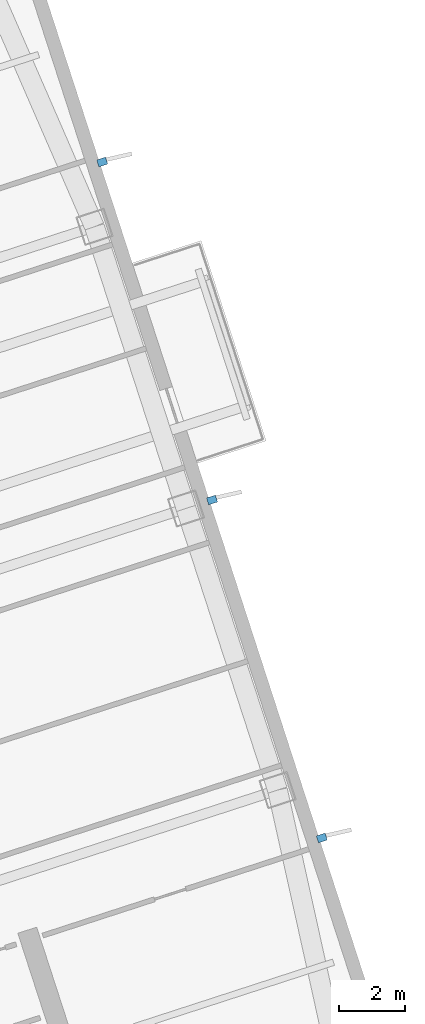
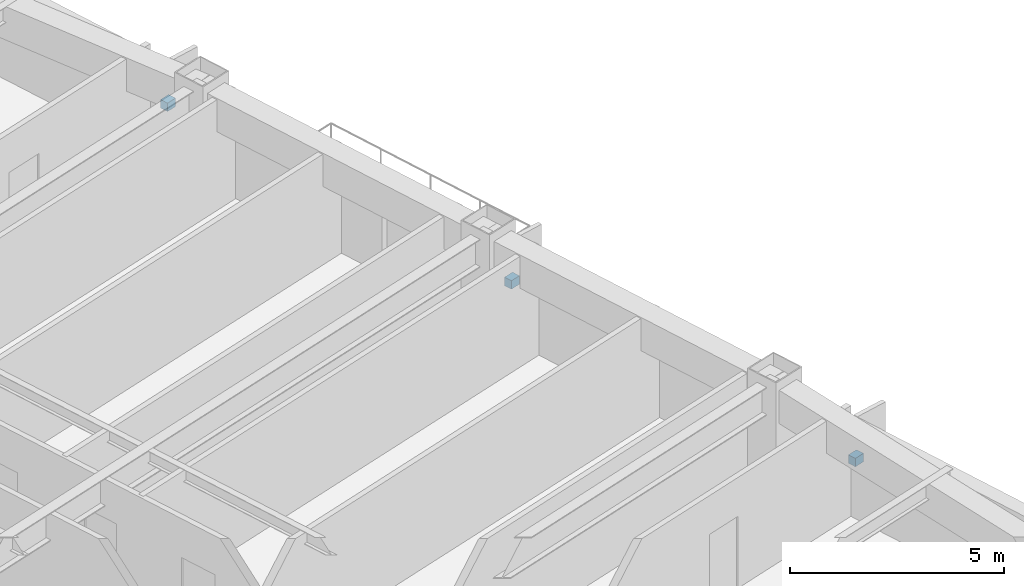
# One storey, part 18 of 23: 3 discrete accessories.
"""IFC4 building model written with IfcOpenShell, lengths in metres."""

import ifcopenshell
import ifcopenshell.guid

model = None  # the IFC model being written
_history = None  # IfcOwnerHistory: only IFC2X3 demands one
_inside = {}  # id of a spatial element -> (the spatial element, [elements in it])
_under = {}  # id of a project, library or spatial element -> (it, [spatial elements below it])
_declared = {}  # id of a project -> (the project, [libraries it declares])
_typed = {}  # id of a type object -> (the type object, [elements of that type])
_made_of = {}  # id of a material, layer set ... -> (it, [elements and type objects made of it])


def new_model(schema):
    """Start an empty IFC model of exactly this schema.

    Asked for "IFC4X3", IfcOpenShell would pick the latest addendum, in which some entities
    have other attributes; the version numbers below select the first issue.
    IFC2X3 requires an IfcOwnerHistory on every rooted entity: one is made here for all.
    """
    global model, _history
    if schema == "IFC4X3":
        model = ifcopenshell.file(schema_version=(4, 3, 0, 0))
    else:
        model = ifcopenshell.file(schema=schema)
    _inside.clear()
    _under.clear()
    _declared.clear()
    _typed.clear()
    _made_of.clear()
    _history = None
    if model.schema == "IFC2X3":
        org = make("IfcOrganization", Name="unknown")
        user = make(
            "IfcPersonAndOrganization",
            ThePerson=make("IfcPerson", FamilyName="unknown"),
            TheOrganization=org,
        )
        app = make(
            "IfcApplication",
            ApplicationDeveloper=org,
            Version="unknown",
            ApplicationFullName="unknown",
            ApplicationIdentifier="unknown",
        )
        _history = make(
            "IfcOwnerHistory",
            OwningUser=user,
            OwningApplication=app,
            ChangeAction="ADDED",
            CreationDate=0,
        )
    return model


def make(cls, **values):
    """One entity of the class cls with the attributes given. An attribute that is None is left unset."""
    return model.create_entity(
        cls, **{name: value for name, value in values.items() if value is not None}
    )


def rooted(cls, **values):
    """An entity with a GlobalId (a new one), such as an element, a storey or a relation."""
    return make(cls, GlobalId=ifcopenshell.guid.new(), OwnerHistory=_history, **values)


def si_unit(unit_type, name, prefix=None):
    """IfcSIUnit, for example si_unit("LENGTHUNIT", "METRE", prefix="MILLI")."""
    return make("IfcSIUnit", UnitType=unit_type, Prefix=prefix, Name=name)


def assignment(units):
    """IfcUnitAssignment: the units of a project."""
    return None if units is None else make("IfcUnitAssignment", Units=units)


def point(xyz):
    """IfcCartesianPoint."""
    return None if xyz is None else make("IfcCartesianPoint", Coordinates=xyz)


def direction(xyz):
    """IfcDirection."""
    return None if xyz is None else make("IfcDirection", DirectionRatios=xyz)


def frame(location, z_axis=None, x_axis=None):
    """IfcAxis2Placement3D, a coordinate frame: its origin and axes. An axis left out is left unset."""
    return make(
        "IfcAxis2Placement3D",
        Location=point(location),
        Axis=direction(z_axis),
        RefDirection=direction(x_axis),
    )


def frame_2d(location, x_axis=None):
    """IfcAxis2Placement2D, a coordinate frame in the plane: its origin and x axis."""
    return make(
        "IfcAxis2Placement2D", Location=point(location), RefDirection=direction(x_axis)
    )


def origin():
    """The frame at (0, 0, 0) with its axes left unset."""
    return frame((0.0, 0.0, 0.0))


def origin_2d():
    """The frame at (0, 0) in the plane with its x axis left unset."""
    return frame_2d((0.0, 0.0))


def place(relative_to, where):
    """IfcLocalPlacement: puts the frame where relative to a parent placement (None: the world)."""
    return make(
        "IfcLocalPlacement", PlacementRelTo=relative_to, RelativePlacement=where
    )


def context(
    kind, dimensions, precision=None, world=None, true_north=None, identifier=None
):
    """IfcGeometricRepresentationContext, for example the 3D "Model" context."""
    return make(
        "IfcGeometricRepresentationContext",
        ContextIdentifier=identifier,
        ContextType=kind,
        CoordinateSpaceDimension=dimensions,
        Precision=precision,
        WorldCoordinateSystem=world,
        TrueNorth=true_north,
    )


def subcontext(parent, identifier, kind, view, scale=None):
    """IfcGeometricRepresentationSubContext, for example "Body" below "Model"."""
    return make(
        "IfcGeometricRepresentationSubContext",
        ContextIdentifier=identifier,
        ContextType=kind,
        ParentContext=parent,
        TargetScale=scale,
        TargetView=view,
    )


def project(units=None, contexts=None):
    """IfcProject with its units and contexts."""
    return rooted(
        "IfcProject",
        Name="project",
        RepresentationContexts=contexts,
        UnitsInContext=assignment(units),
    )


def spatial(cls, under=None, at=None, **own):
    """A site, building, storey or space (cls), placed at a placement, below another one or the project."""
    s = rooted(cls, ObjectPlacement=at, **own)
    if under is not None:
        _under.setdefault(under.id(), (under, []))[1].append(s)
    return s


def profile(cls, at=None, kind="AREA", **sizes):
    """A parametric profile (cls). Its sizes go by their IFC names, for example OverallWidth=200.0."""
    return make(cls, ProfileType=kind, Position=at, **sizes)


def rectangle(**sizes):
    """IfcRectangleProfileDef."""
    return profile("IfcRectangleProfileDef", **sizes)


def extrude(swept, where, along, depth):
    """IfcExtrudedAreaSolid: the profile swept, set in the frame where, extruded along a direction by depth."""
    return make(
        "IfcExtrudedAreaSolid",
        SweptArea=swept,
        Position=where,
        ExtrudedDirection=direction(along),
        Depth=depth,
    )


def shape(context_of_items, identifier, shape_type, items):
    """IfcShapeRepresentation: the items that make up one representation, for example the "Body"."""
    return make(
        "IfcShapeRepresentation",
        ContextOfItems=context_of_items,
        RepresentationIdentifier=identifier,
        RepresentationType=shape_type,
        Items=items,
    )


def material(Name=None, Category=None):
    """IfcMaterial."""
    return make("IfcMaterial", Name=Name, Category=Category)


def made_of(thing, what):
    """Note that an element or type object is made of a material, layer set ...; save() writes the relation."""
    if what is not None:
        _made_of.setdefault(what.id(), (what, []))[1].append(thing)
    return thing


def type_object(cls, material=None, **own):
    """A type object (cls), such as IfcWallType, which elements share."""
    return made_of(rooted(cls, **own), material)


def element(
    cls,
    number,
    at=None,
    inside=None,
    cuts=None,
    type_object=None,
    material=None,
    context=None,
    identifier="Body",
    shape_type=None,
    held_by="IfcProductDefinitionShape",
    body=None,
    shapes=None,
    **own,
):
    """One element of the class cls, such as IfcWall. Its Tag is "e" and its number.

    at: its placement. inside: the storey or other place that contains it. cuts: it is an
    opening in that element (IfcRelVoidsElement). A single representation is given by context,
    identifier, shape_type and body (its items); several are given by shapes. held_by: the class
    of the entity that holds the representations. save() writes the other relations.
    """
    e = rooted(cls, Tag="e%d" % number, ObjectPlacement=at, **own)
    if body is not None:
        shapes = [shape(context, identifier, shape_type, body)]
    if shapes is not None:
        e.Representation = make(held_by, Representations=shapes)
    if inside is not None:
        _inside.setdefault(inside.id(), (inside, []))[1].append(e)
    if cuts is not None:
        rooted(
            "IfcRelVoidsElement", RelatingBuildingElement=cuts, RelatedOpeningElement=e
        )
    if type_object is not None:
        _typed.setdefault(type_object.id(), (type_object, []))[1].append(e)
    return made_of(e, material)


def aggregate(whole, parts):
    """IfcRelAggregates: a whole, such as a stair, and the parts it consists of."""
    return rooted("IfcRelAggregates", RelatingObject=whole, RelatedObjects=parts)


def save(model, path):
    """Write the relations noted so far, then the file.

    IfcRelAggregates (storeys below a building ...), IfcRelContainedInSpatialStructure (elements
    in a storey), IfcRelDefinesByType, IfcRelAssociatesMaterial and IfcRelDeclares: one each for
    every whole, place, type object, material and project.
    """
    for whole, parts in _under.values():
        aggregate(whole, parts)
    for where, things in _inside.values():
        rooted(
            "IfcRelContainedInSpatialStructure",
            RelatedElements=things,
            RelatingStructure=where,
        )
    for kind, things in _typed.values():
        rooted("IfcRelDefinesByType", RelatedObjects=things, RelatingType=kind)
    for what, things in _made_of.values():
        rooted("IfcRelAssociatesMaterial", RelatedObjects=things, RelatingMaterial=what)
    for by, libraries in _declared.values():
        rooted("IfcRelDeclares", RelatingContext=by, RelatedDefinitions=libraries)
    model.write(path)


model = new_model("IFC4")

# Units and contexts
model_context = context("Model", 3, precision=1e-05, world=origin(), true_north=direction((0.0, 1.0)))
body_context = subcontext(model_context, "Body", "Model", "MODEL_VIEW")
ifc_project = project(units=[si_unit("LENGTHUNIT", "METRE"), si_unit("AREAUNIT", "SQUARE_METRE"), si_unit("VOLUMEUNIT", "CUBIC_METRE"), si_unit("PLANEANGLEUNIT", "RADIAN"), si_unit("MASSUNIT", "GRAM", prefix="KILO")], contexts=[model_context])

# Site, building, storey
site_placement = place(None, origin())
site = spatial("IfcSite", under=ifc_project, at=site_placement, CompositionType="ELEMENT")
building_placement = place(site_placement, origin())
building = spatial("IfcBuilding", under=site, at=building_placement, Name="Qiaolan Cultural Towers", CompositionType="ELEMENT")
storey_placement = place(building_placement, frame((0.0, 0.0, 100.050048828125)))
storey = spatial("IfcBuildingStorey", under=building, at=storey_placement, Name="L25", CompositionType="ELEMENT", Elevation=100.050048828125)

# Discrete accessories
ifc_material = material(Name="Stainless Steel S31608 Facade Anchor Bracket", Category="steel")
discrete_accessory_type = type_object("IfcDiscreteAccessoryType", Name="ACC-BRK-SS", PredefinedType="BRACKET", material=ifc_material)
for number, where, z_axis, x_axis, name in (
    (1, (110.056884765625, 29.1611328125, 1.15478515625), (0.0, 0.0, 1.0), (0.951056516295, 0.309016994375, 0.0), "L25 T2 Facade Fin Anchor Bracket E1"),
    (2, (106.719482421875, 39.4326171875, 1.15478515625), (0.0, 0.0, 1.0), (0.951056516295, 0.309016994375, 0.0), "L25 T2 Facade Fin Anchor Bracket E2"),
    (3, (103.382080078125, 49.703857421875, 1.15478515625), (0.0, 0.0, 1.0), (0.951056516295, 0.309016994375, 0.0), "L25 T2 Facade Fin Anchor Bracket E3"),
):
    element("IfcDiscreteAccessory", number, at=place(storey_placement, frame(where, z_axis=z_axis, x_axis=x_axis)), inside=storey, type_object=discrete_accessory_type, Name=name, PredefinedType="BRACKET", context=body_context, shape_type="SweptSolid", body=[
        extrude(rectangle(XDim=0.280029296875, YDim=0.219970703125, at=origin_2d()), origin(), (0.0, 0.0, 1.0), 0.239990234375),
    ])

save(model, "model.ifc")
